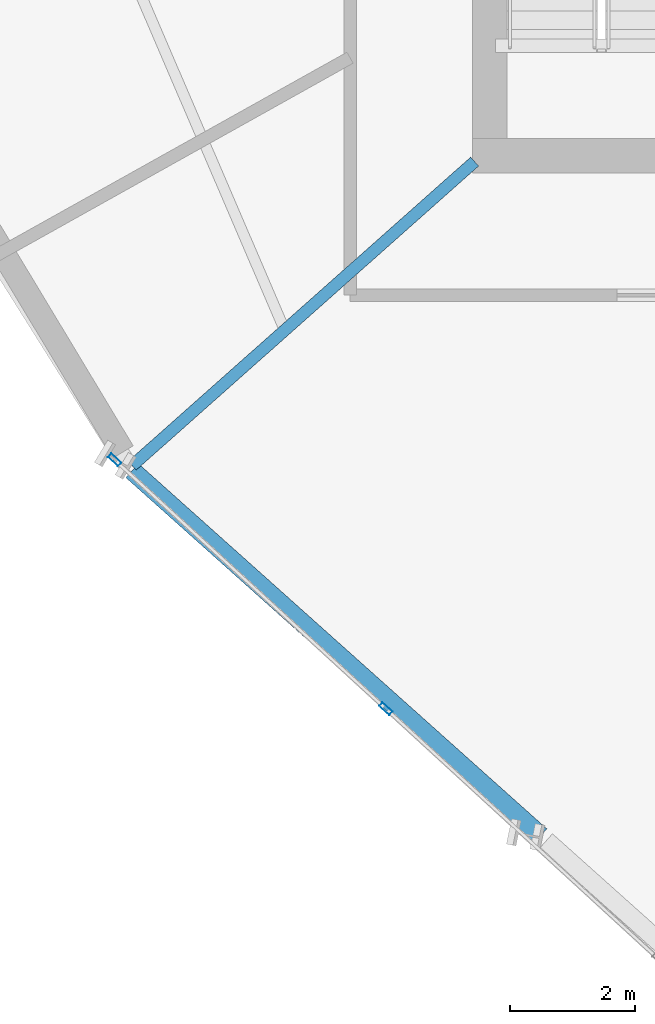
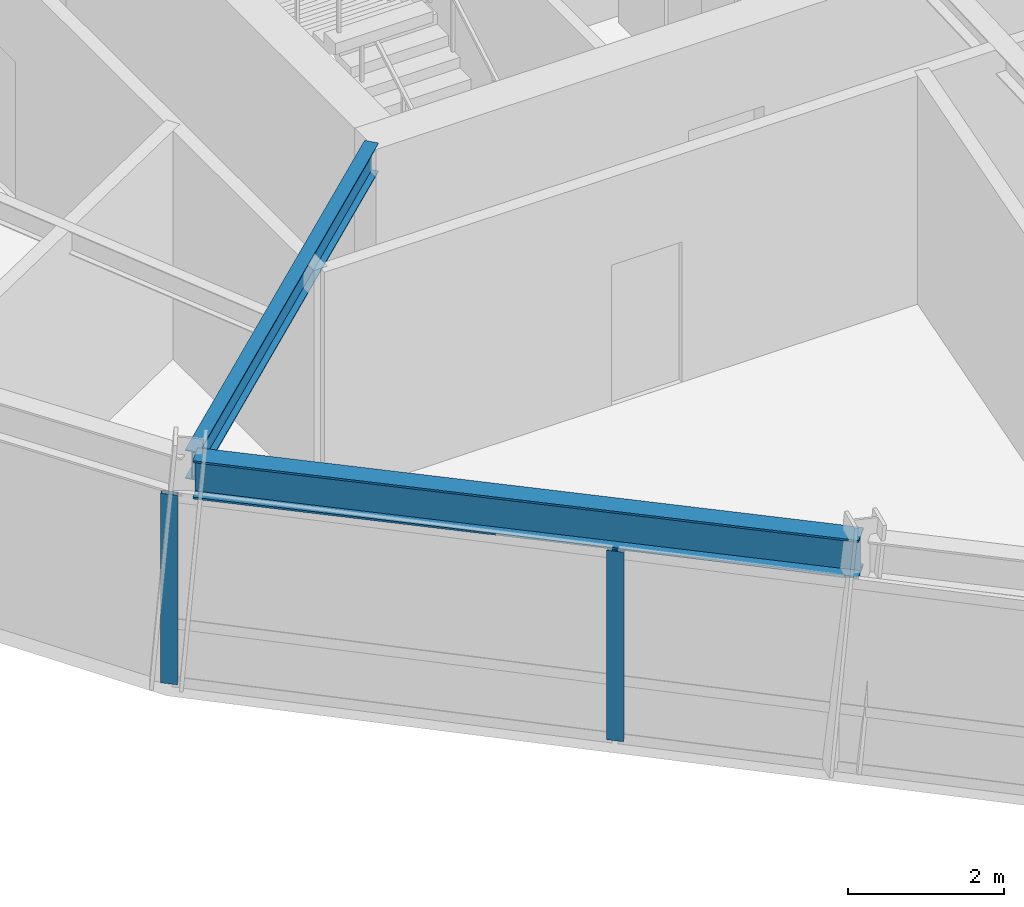
# One storey, part 2 of 13: 2 beams, 2 members, 1 element without a shape of its own.
"""IFC4 building model written with IfcOpenShell, lengths in metres."""

from ifc_helpers import new_model, si_unit, direction, frame, origin, origin_2d, place, context, subcontext, project, spatial, hollow_rectangle, i_section, extrude, source, transform, mapped, material, material_profile, profile_set, type_object, element, aggregate, save


model = new_model("IFC4")

# Units and contexts
model_context = context("Model", 3, precision=1e-05, world=origin(), true_north=direction((0.0, 1.0)))
body_context = subcontext(model_context, "Body", "Model", "MODEL_VIEW")
ifc_project = project(units=[si_unit("LENGTHUNIT", "METRE"), si_unit("AREAUNIT", "SQUARE_METRE"), si_unit("VOLUMEUNIT", "CUBIC_METRE"), si_unit("PLANEANGLEUNIT", "RADIAN"), si_unit("MASSUNIT", "GRAM", prefix="KILO")], contexts=[model_context])

# Site, building, storey
site_placement = place(None, origin())
site = spatial("IfcSite", under=ifc_project, at=site_placement, CompositionType="ELEMENT")
building_placement = place(site_placement, origin())
building = spatial("IfcBuilding", under=site, at=building_placement, Name="Olszyna Solenne Hotel", CompositionType="ELEMENT")
storey_placement = place(building_placement, frame((0.0, 0.0, 200.300048828125)))
storey = spatial("IfcBuildingStorey", under=building, at=storey_placement, Name="L53", CompositionType="ELEMENT", Elevation=200.300048828125)

# Beams
ifc_material_1 = material(Name="Steel S355J2", Category="steel")
ifc_material_profile_1 = material_profile(ifc_material_1, i_section(OverallWidth=0.300048828125, OverallDepth=0.60009765625, WebThickness=0.015380859375, FlangeThickness=0.030029296875, at=origin_2d()), Name="HEB 600", Category="load-bearing")
ifc_profile_set_1 = profile_set([ifc_material_profile_1], Name="Steel S355J2")
beam_type_1 = type_object("IfcBeamType", Name="BM-S2", PredefinedType="BEAM", material=ifc_profile_set_1)
shared_shape_1 = source(origin(), body_context, "Body", "SweptSolid", [
    extrude(i_section(OverallWidth=0.300048828125, OverallDepth=0.60009765625, WebThickness=0.015380859375, FlangeThickness=0.030029296875, at=origin_2d()), origin(), (0.0, 0.0, 1.0), 8.736328125),
])
beam_1_placement = place(storey_placement, frame((24.125732421875, 14.20263671875, 3.280029296875), z_axis=(0.745503643116, -0.666501551461, 0.0), x_axis=(0.666501551461, 0.745503643116, 0.0)))
element("IfcBeam", 1, at=beam_1_placement, inside=storey, type_object=beam_type_1, Name="Perimeter spandrel beam BM-S2 B-L53-1570", PredefinedType="BEAM", context=body_context, shape_type="MappedRepresentation", body=[
    mapped(shared_shape_1, transform((0.0, 0.0, 0.0), x_axis=(1.0, 0.0, 0.0), y_axis=(0.0, 1.0, 0.0), z_axis=(0.0, 0.0, 1.0), scale=1.0)),
])
ifc_material_profile_2 = material_profile(ifc_material_1, i_section(OverallWidth=0.18994140625, OverallDepth=0.449951171875, WebThickness=0.009521484375, FlangeThickness=0.0146484375, at=origin_2d()), Name="IPE 450", Category="load-bearing")
ifc_profile_set_2 = profile_set([ifc_material_profile_2], Name="Steel S355J2")
beam_type_2 = type_object("IfcBeamType", Name="BM-F4", PredefinedType="BEAM", material=ifc_profile_set_2)
shared_shape_2 = source(origin(), body_context, "Body", "SweptSolid", [
    extrude(i_section(OverallWidth=0.18994140625, OverallDepth=0.449951171875, WebThickness=0.009521484375, FlangeThickness=0.0146484375, at=origin_2d()), origin(), (0.0, 0.0, 1.0), 7.30322265625),
])
beam_2_placement = place(storey_placement, frame((24.1259765625, 14.282470703125, 3.35498046875), z_axis=(0.747814942637, 0.663907231147, 0.0), x_axis=(-0.663907231147, 0.747814942637, 0.0)))
element("IfcBeam", 2, at=beam_2_placement, inside=storey, type_object=beam_type_2, Name="Radial floor girder BM-F4 B-L53-1581", PredefinedType="BEAM", context=body_context, shape_type="MappedRepresentation", body=[
    mapped(shared_shape_2, transform((0.0, 0.0, 0.0), x_axis=(1.0, 0.0, 0.0), y_axis=(0.0, 1.0, 0.0), z_axis=(0.0, 0.0, 1.0), scale=1.0)),
])

# Curtain wall, members
ifc_material_2 = material(Name="Anodised bronze aluminium", Category="aluminium")
curtain_wall_type = type_object("IfcCurtainWallType", Name="CW-SYS-6", PredefinedType="NOTDEFINED", material=ifc_material_2)
curtain_wall_placement = place(storey_placement, origin())
curtain_wall = element("IfcCurtainWall", 3, at=curtain_wall_placement, inside=storey, type_object=curtain_wall_type, Name="Unitised curtain wall CW-SYS-6 CW-L53-02", PredefinedType="NOTDEFINED")
ifc_material_profile_3 = material_profile(ifc_material_2, hollow_rectangle(XDim=0.080078125, YDim=0.219970703125, WallThickness=0.0048828125, at=origin_2d()), Name="MULL 220x80x5", Category="load-bearing")
ifc_profile_set_3 = profile_set([ifc_material_profile_3], Name="Anodised bronze aluminium")
member_type = type_object("IfcMemberType", Name="CW-M1", PredefinedType="MULLION", material=ifc_profile_set_3)
shared_shape_3 = source(origin(), body_context, "Body", "SweptSolid", [
    extrude(hollow_rectangle(XDim=0.080078125, YDim=0.219970703125, WallThickness=0.0048828125, at=origin_2d()), origin(), (0.0, 0.0, 1.0), 2.971923828125),
])
member_1_placement = place(storey_placement, frame((23.845947265625, 14.375244140625, 0.0), z_axis=(0.0, 0.0, 1.0), x_axis=(0.676127824335, 0.736784341012, 0.0)))
member_1 = element("IfcMember", 4, at=member_1_placement, type_object=member_type, Name="Curtain-wall mullion CW-M1 CM-L53-02-01", PredefinedType="MULLION", context=body_context, shape_type="MappedRepresentation", body=[
    mapped(shared_shape_3, transform((0.0, 0.0, 0.0), x_axis=(1.0, 0.0, 0.0), y_axis=(0.0, 1.0, 0.0), z_axis=(0.0, 0.0, 1.0), scale=1.0)),
])
member_2_placement = place(storey_placement, frame((28.170654296875, 10.406494140625, 0.0), z_axis=(0.0, 0.0, 1.0), x_axis=(0.676127824335, 0.736784341012, 0.0)))
member_2 = element("IfcMember", 5, at=member_2_placement, type_object=member_type, Name="Curtain-wall mullion CW-M1 CM-L53-02-02", PredefinedType="MULLION", context=body_context, shape_type="MappedRepresentation", body=[
    mapped(shared_shape_3, transform((0.0, 0.0, 0.0), x_axis=(1.0, 0.0, 0.0), y_axis=(0.0, 1.0, 0.0), z_axis=(0.0, 0.0, 1.0), scale=1.0)),
])
aggregate(curtain_wall, [member_1, member_2])

save(model, "model.ifc")
